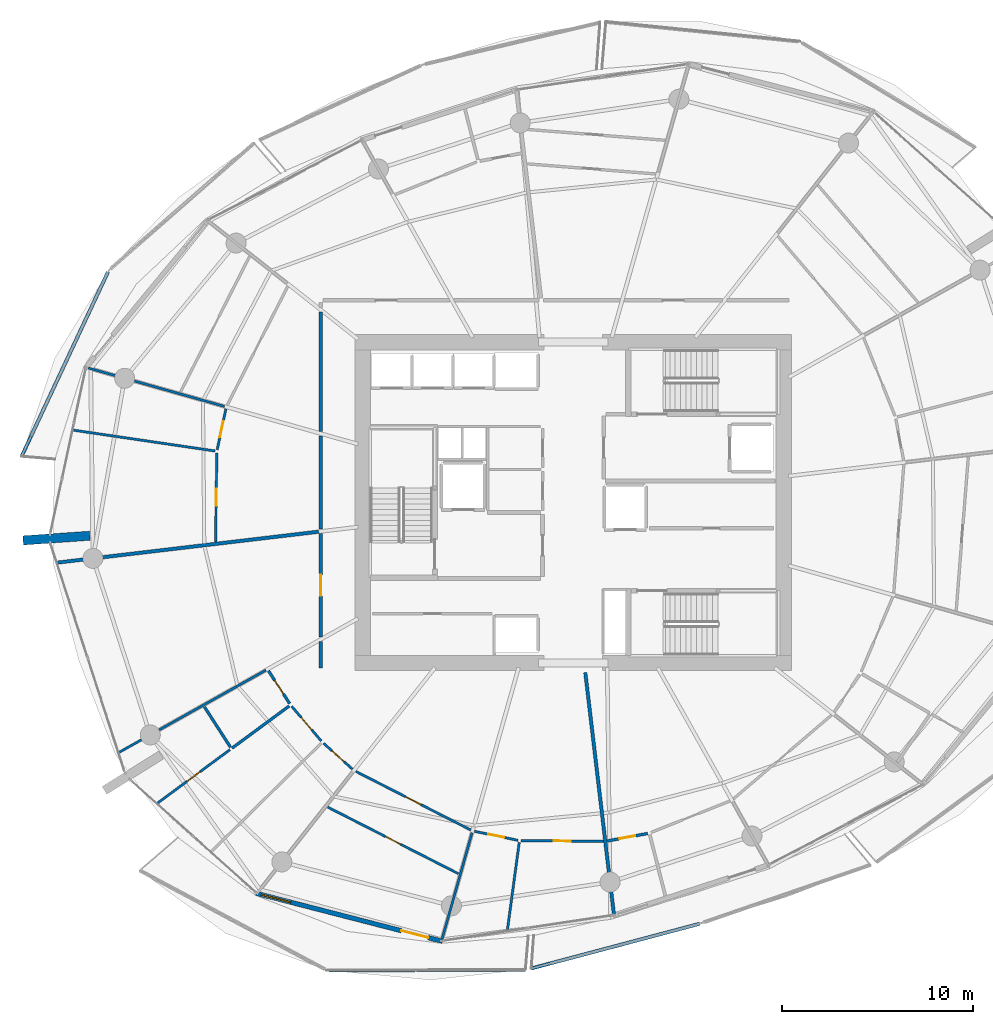
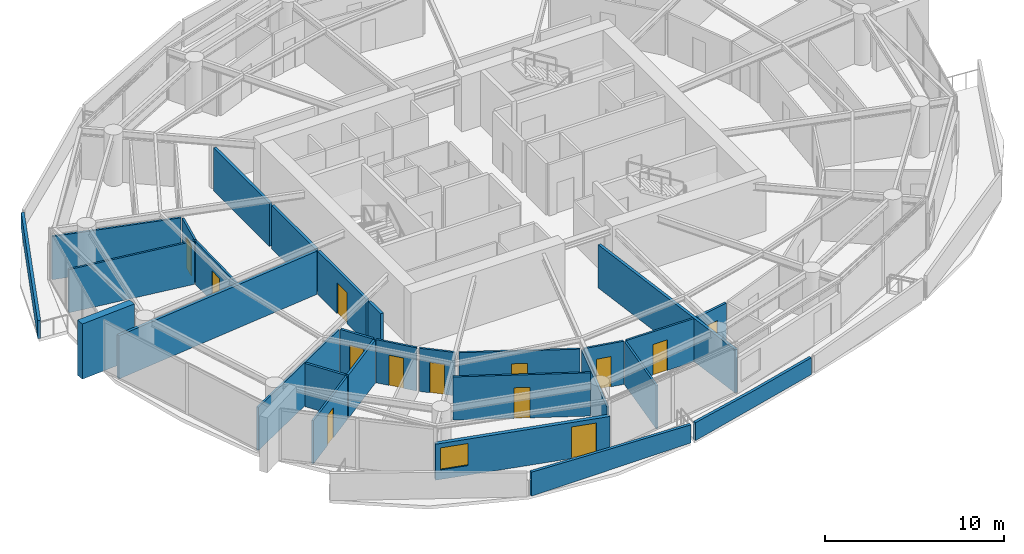
# One storey, part 11 of 20: 29 walls, 13 doors, 1 window, 14 openings.
"""IFC4 building model written with IfcOpenShell, lengths in metres."""

from ifc_helpers import new_model, si_unit, direction, frame, frame_2d, origin, place, context, subcontext, project, spatial, polyline, rectangle, outline, extrude, material, layer, layer_set, type_object, element, fill, save


model = new_model("IFC4")

# Units and contexts
model_context = context("Model", 3, precision=1e-05, world=origin(), true_north=direction((0.0, 1.0)))
body_context = subcontext(model_context, "Body", "Model", "MODEL_VIEW")
ifc_project = project(units=[si_unit("LENGTHUNIT", "METRE"), si_unit("AREAUNIT", "SQUARE_METRE"), si_unit("VOLUMEUNIT", "CUBIC_METRE"), si_unit("PLANEANGLEUNIT", "RADIAN"), si_unit("MASSUNIT", "GRAM", prefix="KILO")], contexts=[model_context])

# Site, building, storey
site_placement = place(None, origin())
site = spatial("IfcSite", under=ifc_project, at=site_placement, CompositionType="ELEMENT")
building_placement = place(site_placement, origin())
building = spatial("IfcBuilding", under=site, at=building_placement, Name="Kazma Halo Residences", CompositionType="ELEMENT")
storey_placement = place(building_placement, frame((0.0, 0.0, 154.050048828125)))
storey = spatial("IfcBuildingStorey", under=building, at=storey_placement, Name="L38", CompositionType="ELEMENT", Elevation=154.050048828125)

# Walls
ifc_material_1 = material(Name="White Concrete C50/60 Balustrade", Category="concrete")
ifc_layer_1 = layer(ifc_material_1, 0.179931640625)
ifc_layer_set_1 = layer_set([ifc_layer_1], Name="White Concrete C50/60 Balustrade")
wall_type_1 = type_object("IfcWallType", Name="WL-BAL-WAVE-180", PredefinedType="PARAPET", material=ifc_layer_set_1)
wall_1_placement = place(storey_placement, frame((24.05029296875, 54.068359375, 0.0), z_axis=(0.0, 0.0, 1.0), x_axis=(-0.424190329226, -0.905573058671, 0.0)))
element("IfcWall", 1, at=wall_1_placement, inside=storey, type_object=wall_type_1, Name="L38 white wave balustrade wall NW.2", PredefinedType="PARAPET", context=body_context, shape_type="SweptSolid", body=[
    extrude(outline(polyline([(0.0, 0.0), (10.6591796875, 0.0), (10.658935546875, 1.223876953125), (5.32958984375, 1.126953125), (0.0, 1.14794921875), (0.0, 0.0)])), frame((0.0, 0.08984375, 0.0), z_axis=(0.0, -1.0, 0.0), x_axis=(1.0, 0.0, 0.0)), (0.0, 0.0, 1.0), 0.179931640625),
])
wall_2_placement = place(storey_placement, frame((35.634521484375, 17.49658203125, 0.0), z_axis=(0.0, 0.0, 1.0), x_axis=(0.999991960948, 0.004009743075, 0.0)))
element("IfcWall", 2, at=wall_2_placement, inside=storey, type_object=wall_type_1, Name="L38 white wave balustrade wall SW.2", PredefinedType="PARAPET", context=body_context, shape_type="SweptSolid", body=[
    extrude(outline(polyline([(0.0, 0.0), (10.289794921875, 0.0), (10.289794921875, 1.23291015625), (5.14501953125, 1.41796875), (0.0, 1.6318359375), (0.0, 0.0)])), frame((0.0, 0.08984375, 0.0), z_axis=(0.0, -1.0, 0.0), x_axis=(1.0, 0.0, 0.0)), (0.0, 0.0, 1.0), 0.179931640625),
])
wall_3_placement = place(storey_placement, frame((46.229248046875, 17.59619140625, 0.0), z_axis=(0.0, 0.0, 1.0), x_axis=(0.966520511407, 0.256589362658, 0.0)))
element("IfcWall", 3, at=wall_3_placement, inside=storey, type_object=wall_type_1, Name="L38 white wave balustrade wall SSE.1", PredefinedType="PARAPET", context=body_context, shape_type="SweptSolid", body=[
    extrude(outline(polyline([(0.0, 0.0), (9.119140625, 0.0), (9.118896484375, 1.14794921875), (4.5595703125, 1.126953125), (0.0, 1.223876953125), (0.0, 0.0)])), frame((0.0, 0.08984375, 0.0), z_axis=(0.0, -1.0, 0.0), x_axis=(1.0, 0.0, 0.0)), (0.0, 0.0, 1.0), 0.179931640625),
])
ifc_material_2 = material(Name="Pale Concrete C60/75", Category="concrete")
ifc_layer_2 = layer(ifc_material_2, 0.47998046875)
ifc_layer_set_2 = layer_set([ifc_layer_2], Name="Pale Concrete C60/75")
wall_type_2 = type_object("IfcWallType", Name="WL-BLADE-480", PredefinedType="SOLIDWALL", material=ifc_layer_set_2)
wall_4_placement = place(storey_placement, frame((23.10302734375, 40.259033203125, 0.0), z_axis=(0.0, 0.0, 1.0), x_axis=(-0.997564163539, -0.069754853754, 0.0)))
element("IfcWall", 4, at=wall_4_placement, inside=storey, type_object=wall_type_2, Name="L38 pale concrete structural blade fin wall BW-02", PredefinedType="SOLIDWALL", context=body_context, shape_type="SweptSolid", body=[
    extrude(rectangle(XDim=3.5, YDim=0.47998046875, at=frame_2d((1.75, 0.0))), origin(), (0.0, 0.0, 1.0), 3.75),
])
ifc_material_3 = material(Name="Acoustic Twin-Stud Gypsum")
ifc_layer_3 = layer(ifc_material_3, 0.179931640625)
ifc_layer_set_3 = layer_set([ifc_layer_3], Name="Acoustic Twin-Stud Gypsum")
wall_type_3 = type_object("IfcWallType", Name="WL-DEM-180", PredefinedType="PARTITIONING", material=ifc_layer_set_3)
wall_5_placement = place(storey_placement, frame((35.0908203125, 40.47216796875, 0.0), z_axis=(0.0, 0.0, 1.0), x_axis=(-0.993067434621, -0.11754603479, 0.0)))
element("IfcWall", 5, at=wall_5_placement, inside=storey, type_object=wall_type_3, Name="L38 apartment demising radial wall 07", PredefinedType="PARTITIONING", context=body_context, shape_type="SweptSolid", body=[
    extrude(rectangle(XDim=13.786865234375, YDim=0.179931640625, at=frame_2d((6.8935546875, 0.0))), origin(), (0.0, 0.0, 1.0), 2.93994140625),
])
wall_6_placement = place(storey_placement, frame((49.054443359375, 33.0908203125, 0.0), z_axis=(0.0, 0.0, 1.0), x_axis=(0.117543744731, -0.993067705685, 0.0)))
element("IfcWall", 6, at=wall_6_placement, inside=storey, type_object=wall_type_3, Name="L38 apartment demising radial wall 11", PredefinedType="PARTITIONING", context=body_context, shape_type="SweptSolid", body=[
    extrude(rectangle(XDim=12.76318359375, YDim=0.179931640625, at=frame_2d((6.381591796875, 0.0))), origin(), (0.0, 0.0, 1.0), 2.93994140625),
])
wall_7_placement = place(storey_placement, frame((35.199951171875, 51.970703125, 0.0), z_axis=(0.0, 0.0, 1.0), x_axis=(0.0, -1.0, 0.0)))
element("IfcWall", 7, at=wall_7_placement, inside=storey, type_object=wall_type_3, Name="L38 Apartment 1 inner wall 5", PredefinedType="PARTITIONING", context=body_context, shape_type="SweptSolid", body=[
    extrude(rectangle(XDim=6.24072265625, YDim=0.179931640625, at=frame_2d((3.120361328125, 0.0))), origin(), (0.0, 0.0, 1.0), 2.93994140625),
])
wall_8_placement = place(storey_placement, frame((35.199951171875, 45.489990234375, 0.0), z_axis=(0.0, 0.0, 1.0), x_axis=(0.0, -1.0, 0.0)))
element("IfcWall", 8, at=wall_8_placement, inside=storey, type_object=wall_type_3, Name="L38 Apartment 1 inner wall 6", PredefinedType="PARTITIONING", context=body_context, shape_type="SweptSolid", body=[
    extrude(rectangle(XDim=4.885009765625, YDim=0.179931640625, at=frame_2d((2.4423828125, 0.0))), origin(), (0.0, 0.0, 1.0), 2.93994140625),
])

# Wall, opening, door
wall_9_placement = place(storey_placement, frame((35.199951171875, 40.364990234375, 0.0), z_axis=(0.0, 0.0, 1.0), x_axis=(0.0, -1.0, 0.0)))
wall_9 = element("IfcWall", 9, at=wall_9_placement, inside=storey, type_object=wall_type_3, Name="L38 Apartment 2 entrance corridor wall", PredefinedType="PARTITIONING", context=body_context, shape_type="SweptSolid", body=[
    extrude(rectangle(XDim=5.413330078125, YDim=0.179931640625, at=frame_2d((2.70654296875, 0.0))), origin(), (0.0, 0.0, 1.0), 2.93994140625),
])
opening_1_placement = place(wall_9_placement, frame((2.156494140625, 0.0, 0.0)))
opening_1 = element("IfcOpeningElement", 10, at=opening_1_placement, cuts=wall_9, Name="Opening DA-1100", PredefinedType="OPENING", context=body_context, shape_type="SweptSolid", body=[
    extrude(rectangle(XDim=1.10009765625, YDim=2.10009765625, at=frame_2d((0.550048828125, 1.050048828125))), frame((0.0, 0.099853515625, 0.0), z_axis=(0.0, -1.0, 0.0), x_axis=(1.0, 0.0, 0.0)), (0.0, 0.0, 1.0), 0.199951171875),
])
ifc_material_4 = material(Name="Acoustic Walnut Fire Leaf")
door_type_1 = type_object("IfcDoorType", Name="DR-FD60-1100", OperationType="NOTDEFINED", PredefinedType="DOOR", material=ifc_material_4)
door_1_placement = place(opening_1_placement, origin())
door_1 = element("IfcDoor", 11, at=door_1_placement, inside=storey, type_object=door_type_1, Name="L38 Apartment 2 entrance fire door", OperationType="SINGLE_SWING_LEFT", OverallHeight=2.10009765625, OverallWidth=1.10009765625, PredefinedType="DOOR", context=body_context, shape_type="SweptSolid", body=[
    extrude(rectangle(XDim=1.10009765625, YDim=2.10009765625, at=frame_2d((0.550048828125, 1.050048828125))), frame((0.0, 0.02490234375, 0.0), z_axis=(0.0, -1.0, 0.0), x_axis=(1.0, 0.0, 0.0)), (0.0, 0.0, 1.0), 0.050048828125),
])
fill(opening_1, door_1)

# Wall
wall_10_placement = place(storey_placement, frame((35.199951171875, 34.711669921875, 0.0), z_axis=(0.0, 0.0, 1.0), x_axis=(0.0, -1.0, 0.0)))
element("IfcWall", 12, at=wall_10_placement, inside=storey, type_object=wall_type_3, Name="L38 Apartment 2 inner wall 8", PredefinedType="PARTITIONING", context=body_context, shape_type="SweptSolid", body=[
    extrude(rectangle(XDim=1.3916015625, YDim=0.179931640625, at=frame_2d((0.69580078125, 0.0))), origin(), (0.0, 0.0, 1.0), 2.93994140625),
])

# Wall, openings, door, window
ifc_material_5 = material(Name="Insulated Pale-Metal Composite Wall")
ifc_layer_4 = layer(ifc_material_5, 0.239990234375)
ifc_layer_set_4 = layer_set([ifc_layer_4], Name="Insulated Pale-Metal Composite Wall")
wall_type_4 = type_object("IfcWallType", Name="WL-EXT-HOST-240", PredefinedType="SOLIDWALL", material=ifc_layer_set_4)
wall_11_placement = place(storey_placement, frame((31.807861328125, 21.5341796875, 0.0), z_axis=(0.0, 0.0, 1.0), x_axis=(0.968379685126, -0.249481032214, 0.0)))
wall_11 = element("IfcWall", 13, at=wall_11_placement, inside=storey, type_object=wall_type_4, Name="L38 exterior terrace-access wall B10", PredefinedType="SOLIDWALL", context=body_context, shape_type="SweptSolid", body=[
    extrude(rectangle(XDim=10.08154296875, YDim=0.239990234375, at=frame_2d((5.040771484375, 0.0))), origin(), (0.0, 0.0, 1.0), 2.449951171875),
])
opening_2_placement = place(wall_11_placement, frame((7.861572265625, 0.0, 0.0)))
opening_2 = element("IfcOpeningElement", 14, at=opening_2_placement, cuts=wall_11, Name="Opening DTR-1600", PredefinedType="OPENING", context=body_context, shape_type="SweptSolid", body=[
    extrude(rectangle(XDim=1.449951171875, YDim=2.14990234375, at=frame_2d((0.72509765625, 1.074951171875))), frame((0.0, 0.1298828125, 0.0), z_axis=(0.0, -1.0, 0.0), x_axis=(1.0, 0.0, 0.0)), (0.0, 0.0, 1.0), 0.260009765625),
])
opening_3_placement = place(wall_11_placement, frame((0.280029296875, 0.0, 0.64990234375)))
opening_3 = element("IfcOpeningElement", 15, at=opening_3_placement, cuts=wall_11, Name="Opening W-1800", PredefinedType="OPENING", context=body_context, shape_type="SweptSolid", body=[
    extrude(rectangle(XDim=1.60009765625, YDim=1.5, at=frame_2d((0.800048828125, 0.75))), frame((0.0, 0.1298828125, 0.0), z_axis=(0.0, -1.0, 0.0), x_axis=(1.0, 0.0, 0.0)), (0.0, 0.0, 1.0), 0.260009765625),
])
ifc_material_6 = material(Name="Aluminium AW-6063 T6 Double-Glazed Terrace Door", Category="aluminium")
door_type_2 = type_object("IfcDoorType", Name="DR-EXT-TERR-1600", OperationType="NOTDEFINED", PredefinedType="DOOR", material=ifc_material_6)
door_2_placement = place(opening_2_placement, origin())
door_2 = element("IfcDoor", 16, at=door_2_placement, inside=storey, type_object=door_type_2, Name="L38 B10 balcony terrace door", OperationType="DOUBLE_DOOR_SLIDING", OverallHeight=2.14990234375, OverallWidth=1.449951171875, PredefinedType="DOOR", context=body_context, shape_type="SweptSolid", body=[
    extrude(rectangle(XDim=1.449951171875, YDim=2.14990234375, at=frame_2d((0.72509765625, 1.074951171875))), frame((0.0, 0.02490234375, 0.0), z_axis=(0.0, -1.0, 0.0), x_axis=(1.0, 0.0, 0.0)), (0.0, 0.0, 1.0), 0.050048828125),
])
fill(opening_2, door_2)
ifc_material_7 = material(Name="Clear Triple-Silver Low-E Glass in Aluminium AW-6063 T6 Frame", Category="aluminium")
window_type = type_object("IfcWindowType", Name="WIN-RES-1800", PartitioningType="DOUBLE_PANEL_VERTICAL", PredefinedType="WINDOW", material=ifc_material_7)
window_placement = place(opening_3_placement, origin())
window = element("IfcWindow", 17, at=window_placement, inside=storey, type_object=window_type, Name="L38 B10 apartment window", OverallHeight=1.5, OverallWidth=1.60009765625, PartitioningType="SINGLE_PANEL", PredefinedType="WINDOW", context=body_context, shape_type="SweptSolid", body=[
    extrude(rectangle(XDim=1.60009765625, YDim=1.5, at=frame_2d((0.800048828125, 0.75))), frame((0.0, 0.030029296875, 0.0), z_axis=(0.0, -1.0, 0.0), x_axis=(1.0, 0.0, 0.0)), (0.0, 0.0, 1.0), 0.06005859375),
])
fill(opening_3, window)

# Walls
ifc_material_8 = material(Name="Gypsum Plasterboard Partition")
ifc_layer_5 = layer(ifc_material_8, 0.125)
ifc_layer_set_5 = layer_set([ifc_layer_5], Name="Gypsum Plasterboard Partition")
wall_type_5 = type_object("IfcWallType", Name="WL-PART-125", PredefinedType="PARTITIONING", material=ifc_layer_set_5)
wall_12_placement = place(storey_placement, frame((30.156982421875, 47.0322265625, 0.0), z_axis=(0.0, 0.0, 1.0), x_axis=(-0.962456736489, 0.271435131084, 0.0)))
element("IfcWall", 18, at=wall_12_placement, inside=storey, type_object=wall_type_5, Name="L38 Apartment 1 radial partition 6", PredefinedType="PARTITIONING", context=body_context, shape_type="SweptSolid", body=[
    extrude(rectangle(XDim=7.412353515625, YDim=0.125, at=frame_2d((3.7060546875, 0.0))), origin(), (0.0, 0.0, 1.0), 2.93994140625),
])
wall_13_placement = place(storey_placement, frame((29.66845703125, 44.697265625, 0.0), z_axis=(0.0, 0.0, 1.0), x_axis=(-0.989352403942, 0.145539756815, 0.0)))
element("IfcWall", 19, at=wall_13_placement, inside=storey, type_object=wall_type_5, Name="L38 Apartment 1 mid-bay wall 6", PredefinedType="PARTITIONING", context=body_context, shape_type="SweptSolid", body=[
    extrude(rectangle(XDim=7.525146484375, YDim=0.125, at=frame_2d((3.7626953125, 0.0))), origin(), (0.0, 0.0, 1.0), 2.93994140625),
])

# Wall, opening, door
wall_14_placement = place(storey_placement, frame((30.232421875, 46.9072265625, 0.0), z_axis=(0.0, 0.0, 1.0), x_axis=(-0.208920938613, -0.977932534181, 0.0)))
wall_14 = element("IfcWall", 20, at=wall_14_placement, inside=storey, type_object=wall_type_5, Name="L38 Apartment 1 North Wine Pantry Store hall wall", PredefinedType="PARTITIONING", context=body_context, shape_type="SweptSolid", body=[
    extrude(rectangle(XDim=2.193359375, YDim=0.125, at=frame_2d((1.0966796875, 0.0))), origin(), (0.0, 0.0, 1.0), 2.93994140625),
])
opening_4_placement = place(wall_14_placement, frame((0.671630859375, 0.0, 0.0)))
opening_4 = element("IfcOpeningElement", 21, at=opening_4_placement, cuts=wall_14, Name="Opening DB-900", PredefinedType="OPENING", context=body_context, shape_type="SweptSolid", body=[
    extrude(rectangle(XDim=0.85009765625, YDim=2.06005859375, at=frame_2d((0.425048828125, 1.030029296875))), frame((0.0, 0.072509765625, 0.0), z_axis=(0.0, -1.0, 0.0), x_axis=(1.0, 0.0, 0.0)), (0.0, 0.0, 1.0), 0.14501953125),
])
ifc_material_9 = material(Name="Moisture-Sealed Timber Leaf", Category="wood")
door_type_3 = type_object("IfcDoorType", Name="DR-BTH-900", OperationType="NOTDEFINED", PredefinedType="DOOR", material=ifc_material_9)
door_3_placement = place(opening_4_placement, origin())
door_3 = element("IfcDoor", 22, at=door_3_placement, inside=storey, type_object=door_type_3, Name="L38 Apartment 1 North Wine Pantry Store door", OperationType="SINGLE_SWING_LEFT", OverallHeight=2.06005859375, OverallWidth=0.85009765625, PredefinedType="DOOR", context=body_context, shape_type="SweptSolid", body=[
    extrude(rectangle(XDim=0.85009765625, YDim=2.06005859375, at=frame_2d((0.425048828125, 1.030029296875))), frame((0.0, 0.02490234375, 0.0), z_axis=(0.0, -1.0, 0.0), x_axis=(1.0, 0.0, 0.0)), (0.0, 0.0, 1.0), 0.050048828125),
])
fill(opening_4, door_3)

wall_15_placement = place(storey_placement, frame((29.75634765625, 44.60400390625, 0.0), z_axis=(0.0, 0.0, 1.0), x_axis=(-0.014161849223, -0.999899715985, 0.0)))
wall_15 = element("IfcWall", 23, at=wall_15_placement, inside=storey, type_object=wall_type_5, Name="L38 Apartment 1 South Formal Dining Room hall wall", PredefinedType="PARTITIONING", context=body_context, shape_type="SweptSolid", body=[
    extrude(rectangle(XDim=4.671875, YDim=0.125, at=frame_2d((2.3359375, 0.0))), origin(), (0.0, 0.0, 1.0), 2.93994140625),
])
opening_5_placement = place(wall_15_placement, frame((1.885986328125, 0.0, 0.0)))
opening_5 = element("IfcOpeningElement", 24, at=opening_5_placement, cuts=wall_15, Name="Opening DI-950", PredefinedType="OPENING", context=body_context, shape_type="SweptSolid", body=[
    extrude(rectangle(XDim=0.89990234375, YDim=2.080078125, at=frame_2d((0.449951171875, 1.0400390625))), frame((0.0, 0.072509765625, 0.0), z_axis=(0.0, -1.0, 0.0), x_axis=(1.0, 0.0, 0.0)), (0.0, 0.0, 1.0), 0.14501953125),
])
ifc_material_10 = material(Name="Timber Veneer Flush Leaf", Category="wood")
door_type_4 = type_object("IfcDoorType", Name="DR-INT-950", OperationType="NOTDEFINED", PredefinedType="DOOR", material=ifc_material_10)
door_4_placement = place(opening_5_placement, origin())
door_4 = element("IfcDoor", 25, at=door_4_placement, inside=storey, type_object=door_type_4, Name="L38 Apartment 1 South Formal Dining Room door", OperationType="SINGLE_SWING_RIGHT", OverallHeight=2.080078125, OverallWidth=0.89990234375, PredefinedType="DOOR", context=body_context, shape_type="SweptSolid", body=[
    extrude(rectangle(XDim=0.89990234375, YDim=2.080078125, at=frame_2d((0.449951171875, 1.0400390625))), frame((0.0, 0.02490234375, 0.0), z_axis=(0.0, -1.0, 0.0), x_axis=(1.0, 0.0, 0.0)), (0.0, 0.0, 1.0), 0.050048828125),
])
fill(opening_5, door_4)

# Wall
wall_16_placement = place(storey_placement, frame((32.3212890625, 33.219482421875, 0.0), z_axis=(0.0, 0.0, 1.0), x_axis=(-0.872493265844, -0.488626136281, 0.0)))
element("IfcWall", 26, at=wall_16_placement, inside=storey, type_object=wall_type_5, Name="L38 Apartment 2 radial partition 8", PredefinedType="PARTITIONING", context=body_context, shape_type="SweptSolid", body=[
    extrude(rectangle(XDim=8.816162109375, YDim=0.125, at=frame_2d((4.408203125, 0.0))), origin(), (0.0, 0.0, 1.0), 2.93994140625),
])

# Wall, opening, door
wall_17_placement = place(storey_placement, frame((30.4462890625, 29.055908203125, 0.0), z_axis=(0.0, 0.0, 1.0), x_axis=(-0.804837038538, -0.593495864684, 0.0)))
wall_17 = element("IfcWall", 27, at=wall_17_placement, inside=storey, type_object=wall_type_5, Name="L38 Apartment 2 Utility Laundry Room partition wall", PredefinedType="PARTITIONING", context=body_context, shape_type="SweptSolid", body=[
    extrude(rectangle(XDim=4.740966796875, YDim=0.125, at=frame_2d((2.37060546875, 0.0))), origin(), (0.0, 0.0, 1.0), 2.93994140625),
])
opening_6_placement = place(wall_17_placement, frame((1.945556640625, 0.0, 0.0)))
opening_6 = element("IfcOpeningElement", 28, at=opening_6_placement, cuts=wall_17, Name="Opening DB-900", PredefinedType="OPENING", context=body_context, shape_type="SweptSolid", body=[
    extrude(rectangle(XDim=0.85009765625, YDim=2.06005859375, at=frame_2d((0.425048828125, 1.030029296875))), frame((0.0, 0.072509765625, 0.0), z_axis=(0.0, -1.0, 0.0), x_axis=(1.0, 0.0, 0.0)), (0.0, 0.0, 1.0), 0.14501953125),
])
door_5_placement = place(opening_6_placement, origin())
door_5 = element("IfcDoor", 29, at=door_5_placement, inside=storey, type_object=door_type_3, Name="L38 Apartment 2 Utility Laundry Room door", OperationType="SINGLE_SWING_RIGHT", OverallHeight=2.06005859375, OverallWidth=0.85009765625, PredefinedType="DOOR", context=body_context, shape_type="SweptSolid", body=[
    extrude(rectangle(XDim=0.85009765625, YDim=2.06005859375, at=frame_2d((0.425048828125, 1.030029296875))), frame((0.0, 0.02490234375, 0.0), z_axis=(0.0, -1.0, 0.0), x_axis=(1.0, 0.0, 0.0)), (0.0, 0.0, 1.0), 0.050048828125),
])
fill(opening_6, door_5)

wall_18_placement = place(storey_placement, frame((33.676025390625, 31.325927734375, 0.0), z_axis=(0.0, 0.0, 1.0), x_axis=(0.649527713292, -0.760337918077, 0.0)))
wall_18 = element("IfcWall", 30, at=wall_18_placement, inside=storey, type_object=wall_type_5, Name="L38 Apartment 2 Gourmet Kitchen hall wall", PredefinedType="PARTITIONING", context=body_context, shape_type="SweptSolid", body=[
    extrude(rectangle(XDim=2.38818359375, YDim=0.125, at=frame_2d((1.194091796875, 0.0))), origin(), (0.0, 0.0, 1.0), 2.93994140625),
])
opening_7_placement = place(wall_18_placement, frame((0.76904296875, 0.0, 0.0)))
opening_7 = element("IfcOpeningElement", 31, at=opening_7_placement, cuts=wall_18, Name="Opening DB-900", PredefinedType="OPENING", context=body_context, shape_type="SweptSolid", body=[
    extrude(rectangle(XDim=0.85009765625, YDim=2.06005859375, at=frame_2d((0.425048828125, 1.030029296875))), frame((0.0, 0.072509765625, 0.0), z_axis=(0.0, -1.0, 0.0), x_axis=(1.0, 0.0, 0.0)), (0.0, 0.0, 1.0), 0.14501953125),
])
door_6_placement = place(opening_7_placement, origin())
door_6 = element("IfcDoor", 32, at=door_6_placement, inside=storey, type_object=door_type_3, Name="L38 Apartment 2 Gourmet Kitchen door", OperationType="SINGLE_SWING_LEFT", OverallHeight=2.06005859375, OverallWidth=0.85009765625, PredefinedType="DOOR", context=body_context, shape_type="SweptSolid", body=[
    extrude(rectangle(XDim=0.85009765625, YDim=2.06005859375, at=frame_2d((0.425048828125, 1.030029296875))), frame((0.0, 0.02490234375, 0.0), z_axis=(0.0, -1.0, 0.0), x_axis=(1.0, 0.0, 0.0)), (0.0, 0.0, 1.0), 0.050048828125),
])
fill(opening_7, door_6)

wall_19_placement = place(storey_placement, frame((35.3388671875, 29.39599609375, 0.0), z_axis=(0.0, 0.0, 1.0), x_axis=(0.745310033914, -0.666718046364, 0.0)))
wall_19 = element("IfcWall", 33, at=wall_19_placement, inside=storey, type_object=wall_type_5, Name="L38 Apartment 2 Primary Bedroom hall wall", PredefinedType="PARTITIONING", context=body_context, shape_type="SweptSolid", body=[
    extrude(rectangle(XDim=2.0439453125, YDim=0.125, at=frame_2d((1.02197265625, 0.0))), origin(), (0.0, 0.0, 1.0), 2.93994140625),
])
opening_8_placement = place(wall_19_placement, frame((0.596923828125, 0.0, 0.0)))
opening_8 = element("IfcOpeningElement", 34, at=opening_8_placement, cuts=wall_19, Name="Opening DB-900", PredefinedType="OPENING", context=body_context, shape_type="SweptSolid", body=[
    extrude(rectangle(XDim=0.85009765625, YDim=2.06005859375, at=frame_2d((0.425048828125, 1.030029296875))), frame((0.0, 0.072509765625, 0.0), z_axis=(0.0, -1.0, 0.0), x_axis=(1.0, 0.0, 0.0)), (0.0, 0.0, 1.0), 0.14501953125),
])
door_7_placement = place(opening_8_placement, origin())
door_7 = element("IfcDoor", 35, at=door_7_placement, inside=storey, type_object=door_type_3, Name="L38 Apartment 2 Primary Bedroom door", OperationType="SINGLE_SWING_RIGHT", OverallHeight=2.06005859375, OverallWidth=0.85009765625, PredefinedType="DOOR", context=body_context, shape_type="SweptSolid", body=[
    extrude(rectangle(XDim=0.85009765625, YDim=2.06005859375, at=frame_2d((0.425048828125, 1.030029296875))), frame((0.0, 0.02490234375, 0.0), z_axis=(0.0, -1.0, 0.0), x_axis=(1.0, 0.0, 0.0)), (0.0, 0.0, 1.0), 0.050048828125),
])
fill(opening_8, door_7)

wall_20_placement = place(storey_placement, frame((37.034912109375, 27.91650390625, 0.0), z_axis=(0.0, 0.0, 1.0), x_axis=(0.89100279738, -0.453997813939, 0.0)))
wall_20 = element("IfcWall", 36, at=wall_20_placement, inside=storey, type_object=wall_type_5, Name="L38 Apartment 2 Primary Study hall wall", PredefinedType="PARTITIONING", context=body_context, shape_type="SweptSolid", body=[
    extrude(rectangle(XDim=6.752685546875, YDim=0.125, at=frame_2d((3.37646484375, 0.0))), origin(), (0.0, 0.0, 1.0), 2.93994140625),
])
opening_9_placement = place(wall_20_placement, frame((2.92626953125, 0.0, 0.0)))
opening_9 = element("IfcOpeningElement", 37, at=opening_9_placement, cuts=wall_20, Name="Opening DI-950", PredefinedType="OPENING", context=body_context, shape_type="SweptSolid", body=[
    extrude(rectangle(XDim=0.89990234375, YDim=2.080078125, at=frame_2d((0.449951171875, 1.0400390625))), frame((0.0, 0.072509765625, 0.0), z_axis=(0.0, -1.0, 0.0), x_axis=(1.0, 0.0, 0.0)), (0.0, 0.0, 1.0), 0.14501953125),
])
door_8_placement = place(opening_9_placement, origin())
door_8 = element("IfcDoor", 38, at=door_8_placement, inside=storey, type_object=door_type_4, Name="L38 Apartment 2 Primary Study door", OperationType="SINGLE_SWING_RIGHT", OverallHeight=2.080078125, OverallWidth=0.89990234375, PredefinedType="DOOR", context=body_context, shape_type="SweptSolid", body=[
    extrude(rectangle(XDim=0.89990234375, YDim=2.080078125, at=frame_2d((0.449951171875, 1.0400390625))), frame((0.0, 0.02490234375, 0.0), z_axis=(0.0, -1.0, 0.0), x_axis=(1.0, 0.0, 0.0)), (0.0, 0.0, 1.0), 0.050048828125),
])
fill(opening_9, door_8)

wall_21_placement = place(storey_placement, frame((35.561279296875, 26.04736328125, 0.0), z_axis=(0.0, 0.0, 1.0), x_axis=(0.891013298813, -0.453977203544, 0.0)))
wall_21 = element("IfcWall", 39, at=wall_21_placement, inside=storey, type_object=wall_type_5, Name="L38 Apartment 2 Secondary Master Bedroom divider wall", PredefinedType="PARTITIONING", context=body_context, shape_type="SweptSolid", body=[
    extrude(rectangle(XDim=7.68115234375, YDim=0.125, at=frame_2d((3.840576171875, 0.0))), origin(), (0.0, 0.0, 1.0), 2.93994140625),
])
opening_10_placement = place(wall_21_placement, frame((3.390625, 0.0, 0.0)))
opening_10 = element("IfcOpeningElement", 40, at=opening_10_placement, cuts=wall_21, Name="Opening DI-950", PredefinedType="OPENING", context=body_context, shape_type="SweptSolid", body=[
    extrude(rectangle(XDim=0.89990234375, YDim=2.080078125, at=frame_2d((0.449951171875, 1.0400390625))), frame((0.0, 0.072509765625, 0.0), z_axis=(0.0, -1.0, 0.0), x_axis=(1.0, 0.0, 0.0)), (0.0, 0.0, 1.0), 0.14501953125),
])
door_9_placement = place(opening_10_placement, origin())
door_9 = element("IfcDoor", 41, at=door_9_placement, inside=storey, type_object=door_type_4, Name="L38 Apartment 2 Secondary Master Bedroom door", OperationType="SINGLE_SWING_LEFT", OverallHeight=2.080078125, OverallWidth=0.89990234375, PredefinedType="DOOR", context=body_context, shape_type="SweptSolid", body=[
    extrude(rectangle(XDim=0.89990234375, YDim=2.080078125, at=frame_2d((0.449951171875, 1.0400390625))), frame((0.0, 0.02490234375, 0.0), z_axis=(0.0, -1.0, 0.0), x_axis=(1.0, 0.0, 0.0)), (0.0, 0.0, 1.0), 0.050048828125),
])
fill(opening_10, door_9)

# Walls
wall_22_placement = place(storey_placement, frame((43.122314453125, 24.70458984375, 0.0), z_axis=(0.0, 0.0, 1.0), x_axis=(-0.271461170106, -0.962449392501, 0.0)))
element("IfcWall", 42, at=wall_22_placement, inside=storey, type_object=wall_type_5, Name="L38 Apartment 2 radial partition 10", PredefinedType="PARTITIONING", context=body_context, shape_type="SweptSolid", body=[
    extrude(rectangle(XDim=5.769287109375, YDim=0.125, at=frame_2d((2.884765625, 0.0))), origin(), (0.0, 0.0, 1.0), 2.93994140625),
])
wall_23_placement = place(storey_placement, frame((45.59521484375, 24.20166015625, 0.0), z_axis=(0.0, 0.0, 1.0), x_axis=(-0.133913732336, -0.990992993059, 0.0)))
element("IfcWall", 43, at=wall_23_placement, inside=storey, type_object=wall_type_5, Name="L38 Apartment 2 mid-bay wall 10", PredefinedType="PARTITIONING", context=body_context, shape_type="SweptSolid", body=[
    extrude(rectangle(XDim=4.6689453125, YDim=0.125, at=frame_2d((2.33447265625, 0.0))), origin(), (0.0, 0.0, 1.0), 2.93994140625),
])

# Wall, opening, door
wall_24_placement = place(storey_placement, frame((43.247314453125, 24.780517578125, 0.0), z_axis=(0.0, 0.0, 1.0), x_axis=(0.979144850172, -0.203163388388, 0.0)))
wall_24 = element("IfcWall", 44, at=wall_24_placement, inside=storey, type_object=wall_type_5, Name="L38 Apartment 2 East Bedroom hall wall", PredefinedType="PARTITIONING", context=body_context, shape_type="SweptSolid", body=[
    extrude(rectangle(XDim=2.330078125, YDim=0.125, at=frame_2d((1.1650390625, 0.0))), origin(), (0.0, 0.0, 1.0), 2.93994140625),
])
opening_11_placement = place(wall_24_placement, frame((0.739990234375, 0.0, 0.0)))
opening_11 = element("IfcOpeningElement", 45, at=opening_11_placement, cuts=wall_24, Name="Opening DB-900", PredefinedType="OPENING", context=body_context, shape_type="SweptSolid", body=[
    extrude(rectangle(XDim=0.85009765625, YDim=2.06005859375, at=frame_2d((0.425048828125, 1.030029296875))), frame((0.0, 0.072509765625, 0.0), z_axis=(0.0, -1.0, 0.0), x_axis=(1.0, 0.0, 0.0)), (0.0, 0.0, 1.0), 0.14501953125),
])
door_10_placement = place(opening_11_placement, origin())
door_10 = element("IfcDoor", 46, at=door_10_placement, inside=storey, type_object=door_type_3, Name="L38 Apartment 2 East Bedroom door", OperationType="SINGLE_SWING_LEFT", OverallHeight=2.06005859375, OverallWidth=0.85009765625, PredefinedType="DOOR", context=body_context, shape_type="SweptSolid", body=[
    extrude(rectangle(XDim=0.85009765625, YDim=2.06005859375, at=frame_2d((0.425048828125, 1.030029296875))), frame((0.0, 0.02490234375, 0.0), z_axis=(0.0, -1.0, 0.0), x_axis=(1.0, 0.0, 0.0)), (0.0, 0.0, 1.0), 0.050048828125),
])
fill(opening_11, door_10)

wall_25_placement = place(storey_placement, frame((45.687255859375, 24.290283203125, 0.0), z_axis=(0.0, 0.0, 1.0), x_axis=(0.999965854942, -0.008263712844, 0.0)))
wall_25 = element("IfcWall", 47, at=wall_25_placement, inside=storey, type_object=wall_type_5, Name="L38 Apartment 2 West Bedroom hall wall", PredefinedType="PARTITIONING", context=body_context, shape_type="SweptSolid", body=[
    extrude(rectangle(XDim=4.3134765625, YDim=0.125, at=frame_2d((2.15673828125, 0.0))), origin(), (0.0, 0.0, 1.0), 2.93994140625),
])
opening_12_placement = place(wall_25_placement, frame((1.706787109375, 0.0, 0.0)))
opening_12 = element("IfcOpeningElement", 48, at=opening_12_placement, cuts=wall_25, Name="Opening DI-950", PredefinedType="OPENING", context=body_context, shape_type="SweptSolid", body=[
    extrude(rectangle(XDim=0.89990234375, YDim=2.080078125, at=frame_2d((0.449951171875, 1.0400390625))), frame((0.0, 0.072509765625, 0.0), z_axis=(0.0, -1.0, 0.0), x_axis=(1.0, 0.0, 0.0)), (0.0, 0.0, 1.0), 0.14501953125),
])
door_11_placement = place(opening_12_placement, origin())
door_11 = element("IfcDoor", 49, at=door_11_placement, inside=storey, type_object=door_type_4, Name="L38 Apartment 2 West Bedroom door", OperationType="SINGLE_SWING_RIGHT", OverallHeight=2.080078125, OverallWidth=0.89990234375, PredefinedType="DOOR", context=body_context, shape_type="SweptSolid", body=[
    extrude(rectangle(XDim=0.89990234375, YDim=2.080078125, at=frame_2d((0.449951171875, 1.0400390625))), frame((0.0, 0.02490234375, 0.0), z_axis=(0.0, -1.0, 0.0), x_axis=(1.0, 0.0, 0.0)), (0.0, 0.0, 1.0), 0.050048828125),
])
fill(opening_12, door_11)

ifc_material_11 = material(Name="Moisture-Resistant Gypsum")
ifc_layer_6 = layer(ifc_material_11, 0.14990234375)
ifc_layer_set_6 = layer_set([ifc_layer_6], Name="Moisture-Resistant Gypsum")
wall_type_6 = type_object("IfcWallType", Name="WL-WET-150", PredefinedType="PARTITIONING", material=ifc_layer_set_6)
wall_26_placement = place(storey_placement, frame((32.462646484375, 33.184326171875, 0.0), z_axis=(0.0, 0.0, 1.0), x_axis=(0.542099612135, -0.840314233203, 0.0)))
wall_26 = element("IfcWall", 50, at=wall_26_placement, inside=storey, type_object=wall_type_6, Name="L38 Apartment 2 Guest Bathroom hall wall", PredefinedType="PARTITIONING", context=body_context, shape_type="SweptSolid", body=[
    extrude(rectangle(XDim=2.0400390625, YDim=0.14990234375, at=frame_2d((1.02001953125, 0.0))), origin(), (0.0, 0.0, 1.0), 2.93994140625),
])
opening_13_placement = place(wall_26_placement, frame((0.59521484375, 0.0, 0.0)))
opening_13 = element("IfcOpeningElement", 51, at=opening_13_placement, cuts=wall_26, Name="Opening DB-900", PredefinedType="OPENING", context=body_context, shape_type="SweptSolid", body=[
    extrude(rectangle(XDim=0.85009765625, YDim=2.06005859375, at=frame_2d((0.425048828125, 1.030029296875))), frame((0.0, 0.0849609375, 0.0), z_axis=(0.0, -1.0, 0.0), x_axis=(1.0, 0.0, 0.0)), (0.0, 0.0, 1.0), 0.169921875),
])
door_12_placement = place(opening_13_placement, origin())
door_12 = element("IfcDoor", 52, at=door_12_placement, inside=storey, type_object=door_type_3, Name="L38 Apartment 2 Guest Bathroom door", OperationType="SINGLE_SWING_LEFT", OverallHeight=2.06005859375, OverallWidth=0.85009765625, PredefinedType="DOOR", context=body_context, shape_type="SweptSolid", body=[
    extrude(rectangle(XDim=0.85009765625, YDim=2.06005859375, at=frame_2d((0.425048828125, 1.030029296875))), frame((0.0, 0.02490234375, 0.0), z_axis=(0.0, -1.0, 0.0), x_axis=(1.0, 0.0, 0.0)), (0.0, 0.0, 1.0), 0.050048828125),
])
fill(opening_13, door_12)

# Walls
wall_27_placement = place(storey_placement, frame((29.103515625, 31.302978515625, 0.0), z_axis=(0.0, 0.0, 1.0), x_axis=(0.542142313724, -0.840286684216, 0.0)))
element("IfcWall", 53, at=wall_27_placement, inside=storey, type_object=wall_type_6, Name="L38 Apartment 2 Guest Bathroom back wall", PredefinedType="PARTITIONING", context=body_context, shape_type="SweptSolid", body=[
    extrude(rectangle(XDim=2.5205078125, YDim=0.14990234375, at=frame_2d((1.26025390625, 0.0))), origin(), (0.0, 0.0, 1.0), 2.93994140625),
])
wall_28_placement = place(storey_placement, frame((33.545166015625, 31.3408203125, 0.0), z_axis=(0.0, 0.0, 1.0), x_axis=(-0.804856199216, -0.593469880097, 0.0)))
element("IfcWall", 54, at=wall_28_placement, inside=storey, type_object=wall_type_6, Name="L38 Apartment 2 Guest Bathroom side wall", PredefinedType="PARTITIONING", context=body_context, shape_type="SweptSolid", body=[
    extrude(rectangle(XDim=3.72021484375, YDim=0.14990234375, at=frame_2d((1.860107421875, 0.0))), origin(), (0.0, 0.0, 1.0), 2.93994140625),
])

# Wall, opening, door
wall_29_placement = place(storey_placement, frame((50.19873046875, 24.272216796875, 0.0), z_axis=(0.0, 0.0, 1.0), x_axis=(0.98320468223, 0.182506309042, 0.0)))
wall_29 = element("IfcWall", 55, at=wall_29_placement, inside=storey, type_object=wall_type_6, Name="L38 Apartment 3 Guest Bathroom hall wall", PredefinedType="PARTITIONING", context=body_context, shape_type="SweptSolid", body=[
    extrude(rectangle(XDim=2.1591796875, YDim=0.14990234375, at=frame_2d((1.07958984375, 0.0))), origin(), (0.0, 0.0, 1.0), 2.93994140625),
])
opening_14_placement = place(wall_29_placement, frame((0.654541015625, 0.0, 0.0)))
opening_14 = element("IfcOpeningElement", 56, at=opening_14_placement, cuts=wall_29, Name="Opening DB-900", PredefinedType="OPENING", context=body_context, shape_type="SweptSolid", body=[
    extrude(rectangle(XDim=0.85009765625, YDim=2.06005859375, at=frame_2d((0.425048828125, 1.030029296875))), frame((0.0, 0.0849609375, 0.0), z_axis=(0.0, -1.0, 0.0), x_axis=(1.0, 0.0, 0.0)), (0.0, 0.0, 1.0), 0.169921875),
])
door_13_placement = place(opening_14_placement, origin())
door_13 = element("IfcDoor", 57, at=door_13_placement, inside=storey, type_object=door_type_3, Name="L38 Apartment 3 Guest Bathroom door", OperationType="SINGLE_SWING_RIGHT", OverallHeight=2.06005859375, OverallWidth=0.85009765625, PredefinedType="DOOR", context=body_context, shape_type="SweptSolid", body=[
    extrude(rectangle(XDim=0.85009765625, YDim=2.06005859375, at=frame_2d((0.425048828125, 1.030029296875))), frame((0.0, 0.02490234375, 0.0), z_axis=(0.0, -1.0, 0.0), x_axis=(1.0, 0.0, 0.0)), (0.0, 0.0, 1.0), 0.050048828125),
])
fill(opening_14, door_13)

save(model, "model.ifc")
